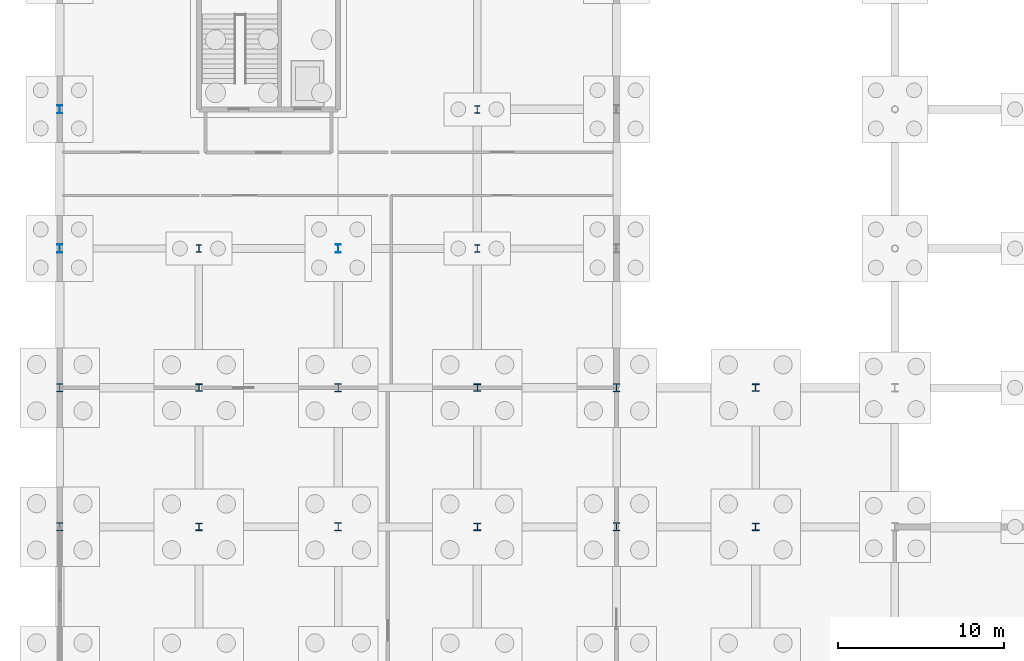
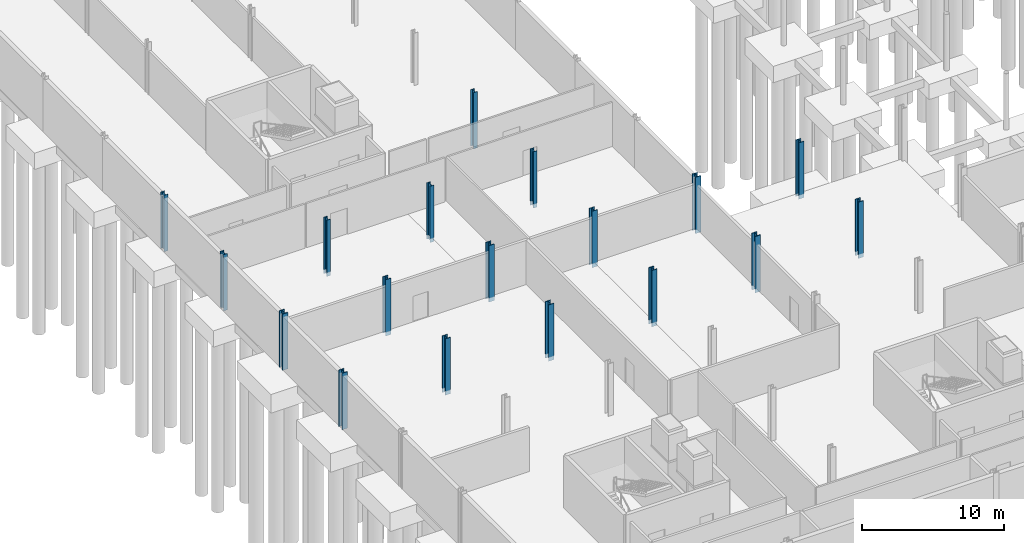
# One storey, part 14 of 51: 18 columns.
"""IFC4 building model written with IfcOpenShell, lengths in metres."""

from ifc_helpers import new_model, si_unit, direction, frame, origin, origin_2d, place, context, subcontext, project, spatial, i_section, extrude, material, material_profile, profile_set, type_object, element, save


model = new_model("IFC4")

# Units and contexts
model_context = context("Model", 3, precision=1e-05, world=origin(), true_north=direction((0.0, 1.0)))
body_context = subcontext(model_context, "Body", "Model", "MODEL_VIEW")
ifc_project = project(units=[si_unit("LENGTHUNIT", "METRE"), si_unit("AREAUNIT", "SQUARE_METRE"), si_unit("VOLUMEUNIT", "CUBIC_METRE"), si_unit("PLANEANGLEUNIT", "RADIAN"), si_unit("MASSUNIT", "GRAM", prefix="KILO")], contexts=[model_context])

# Site, building, storey
site_placement = place(None, origin())
site = spatial("IfcSite", under=ifc_project, at=site_placement, CompositionType="ELEMENT")
building_placement = place(site_placement, origin())
building = spatial("IfcBuilding", under=site, at=building_placement, Name="Qalvenar Corner Mobility Hub", CompositionType="ELEMENT")
storey_placement = place(building_placement, frame((0.0, 0.0, -4.5)))
storey = spatial("IfcBuildingStorey", under=building, at=storey_placement, Name="B1", CompositionType="ELEMENT", Elevation=-4.5)

# Columns
ifc_material = material(Name="Steel S355", Category="steel")
ifc_material_profile_1 = material_profile(ifc_material, i_section(OverallWidth=0.412109375, OverallDepth=0.455078125, WebThickness=0.030517578125, FlangeThickness=0.049072265625, FilletRadius=0.014892578125, at=origin_2d()), Name="HD400x421")
ifc_profile_set_1 = profile_set([ifc_material_profile_1], Name="Steel S355")
column_type_1 = type_object("IfcColumnType", Name="COL-HD400X382", PredefinedType="COLUMN", material=ifc_profile_set_1)
for number, where, z_axis, x_axis, name in (
    (1, (8.39990234375, 33.60009765625, -0.35009765625), (0.0, 0.0, 1.0), (1.0, 0.0, 0.0), "Steel Column B1-G2-4"),
    (2, (8.39990234375, 42.0, -0.35009765625), (0.0, 0.0, 1.0), (1.0, 0.0, 0.0), "Steel Column B1-G2-5"),
    (3, (25.199951171875, 33.60009765625, -0.35009765625), (0.0, 0.0, 1.0), (1.0, 0.0, 0.0), "Steel Column B1-G4-4"),
    (4, (25.199951171875, 42.0, -0.35009765625), (0.0, 0.0, 1.0), (1.0, 0.0, 0.0), "Steel Column B1-G4-5"),
    (5, (42.0, 33.60009765625, -0.35009765625), (0.0, 0.0, 1.0), (1.0, 0.0, 0.0), "Steel Column B1-G6-4"),
    (6, (42.0, 42.0, -0.35009765625), (0.0, 0.0, 1.0), (1.0, 0.0, 0.0), "Steel Column B1-G6-5"),
):
    element("IfcColumn", number, at=place(storey_placement, frame(where, z_axis=z_axis, x_axis=x_axis)), inside=storey, type_object=column_type_1, Name=name, PredefinedType="COLUMN", context=body_context, shape_type="SweptSolid", body=[
        extrude(i_section(OverallWidth=0.412109375, OverallDepth=0.455078125, WebThickness=0.030517578125, FlangeThickness=0.049072265625, FilletRadius=0.014892578125, at=origin_2d()), origin(), (0.0, 0.0, 1.0), 4.85009765625),
    ])
ifc_material_profile_2 = material_profile(ifc_material, i_section(OverallWidth=0.419921875, OverallDepth=0.5048828125, WebThickness=0.03662109375, FlangeThickness=0.05908203125, FilletRadius=0.014892578125, at=origin_2d()), Name="HD400x551")
ifc_profile_set_2 = profile_set([ifc_material_profile_2], Name="Steel S355")
column_type_2 = type_object("IfcColumnType", Name="COL-HD400X463", PredefinedType="COLUMN", material=ifc_profile_set_2)
for number, where, z_axis, x_axis, name in (
    (7, (0.0, 33.60009765625, -0.35009765625), (0.0, 0.0, 1.0), (1.0, 0.0, 0.0), "Steel Column B1-G1-4"),
    (8, (0.0, 42.0, -0.35009765625), (0.0, 0.0, 1.0), (1.0, 0.0, 0.0), "Steel Column B1-G1-5"),
    (9, (16.800048828125, 33.60009765625, -0.35009765625), (0.0, 0.0, 1.0), (1.0, 0.0, 0.0), "Steel Column B1-G3-4"),
    (10, (16.800048828125, 42.0, -0.35009765625), (0.0, 0.0, 1.0), (1.0, 0.0, 0.0), "Steel Column B1-G3-5"),
    (11, (33.60009765625, 33.60009765625, -0.35009765625), (0.0, 0.0, 1.0), (1.0, 0.0, 0.0), "Steel Column B1-G5-4"),
    (12, (33.60009765625, 42.0, -0.35009765625), (0.0, 0.0, 1.0), (1.0, 0.0, 0.0), "Steel Column B1-G5-5"),
):
    element("IfcColumn", number, at=place(storey_placement, frame(where, z_axis=z_axis, x_axis=x_axis)), inside=storey, type_object=column_type_2, Name=name, PredefinedType="COLUMN", context=body_context, shape_type="SweptSolid", body=[
        extrude(i_section(OverallWidth=0.419921875, OverallDepth=0.5048828125, WebThickness=0.03662109375, FlangeThickness=0.05908203125, FilletRadius=0.014892578125, at=origin_2d()), origin(), (0.0, 0.0, 1.0), 4.85009765625),
    ])
ifc_material_profile_3 = material_profile(ifc_material, i_section(OverallWidth=0.300048828125, OverallDepth=0.449951171875, WebThickness=0.013916015625, FlangeThickness=0.02587890625, FilletRadius=0.027099609375, at=origin_2d()), Name="HEB450")
ifc_profile_set_3 = profile_set([ifc_material_profile_3], Name="Steel S355")
column_type_3 = type_object("IfcColumnType", Name="COL-HEB450", PredefinedType="COLUMN", material=ifc_profile_set_3)
for number, where, z_axis, x_axis, name in (
    (13, (8.39990234375, 50.39990234375, -0.35009765625), (0.0, 0.0, 1.0), (1.0, 0.0, 0.0), "Steel Column B1-G2-6"),
    (14, (25.199951171875, 50.39990234375, -0.35009765625), (0.0, 0.0, 1.0), (1.0, 0.0, 0.0), "Steel Column B1-G4-6"),
    (15, (25.199951171875, 58.800048828125, -0.35009765625), (0.0, 0.0, 1.0), (1.0, 0.0, 0.0), "Steel Column B1-G4-7"),
):
    element("IfcColumn", number, at=place(storey_placement, frame(where, z_axis=z_axis, x_axis=x_axis)), inside=storey, type_object=column_type_3, Name=name, PredefinedType="COLUMN", context=body_context, shape_type="SweptSolid", body=[
        extrude(i_section(OverallWidth=0.300048828125, OverallDepth=0.449951171875, WebThickness=0.013916015625, FlangeThickness=0.02587890625, FilletRadius=0.027099609375, at=origin_2d()), origin(), (0.0, 0.0, 1.0), 4.85009765625),
    ])
ifc_material_profile_4 = material_profile(ifc_material, i_section(OverallWidth=0.300048828125, OverallDepth=0.5, WebThickness=0.014404296875, FlangeThickness=0.028076171875, FilletRadius=0.027099609375, at=origin_2d()), Name="HEB500")
ifc_profile_set_4 = profile_set([ifc_material_profile_4], Name="Steel S355")
column_type_4 = type_object("IfcColumnType", Name="COL-HEB500", PredefinedType="COLUMN", material=ifc_profile_set_4)
for number, where, z_axis, x_axis, name in (
    (16, (0.0, 50.39990234375, -0.35009765625), (0.0, 0.0, 1.0), (1.0, 0.0, 0.0), "Steel Column B1-G1-6"),
    (17, (0.0, 58.800048828125, -0.35009765625), (0.0, 0.0, 1.0), (1.0, 0.0, 0.0), "Steel Column B1-G1-7"),
    (18, (16.800048828125, 50.39990234375, -0.35009765625), (0.0, 0.0, 1.0), (1.0, 0.0, 0.0), "Steel Column B1-G3-6"),
):
    element("IfcColumn", number, at=place(storey_placement, frame(where, z_axis=z_axis, x_axis=x_axis)), inside=storey, type_object=column_type_4, Name=name, PredefinedType="COLUMN", context=body_context, shape_type="SweptSolid", body=[
        extrude(i_section(OverallWidth=0.300048828125, OverallDepth=0.5, WebThickness=0.014404296875, FlangeThickness=0.028076171875, FilletRadius=0.027099609375, at=origin_2d()), origin(), (0.0, 0.0, 1.0), 4.85009765625),
    ])

save(model, "model.ifc")
